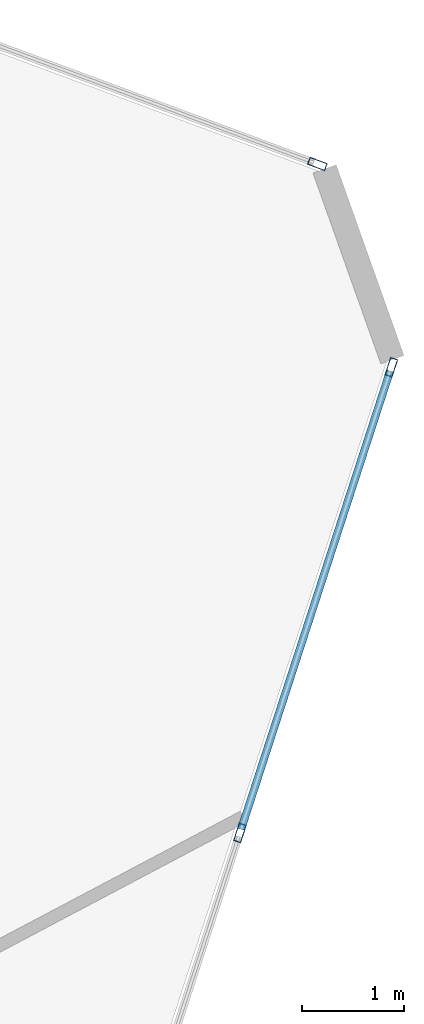
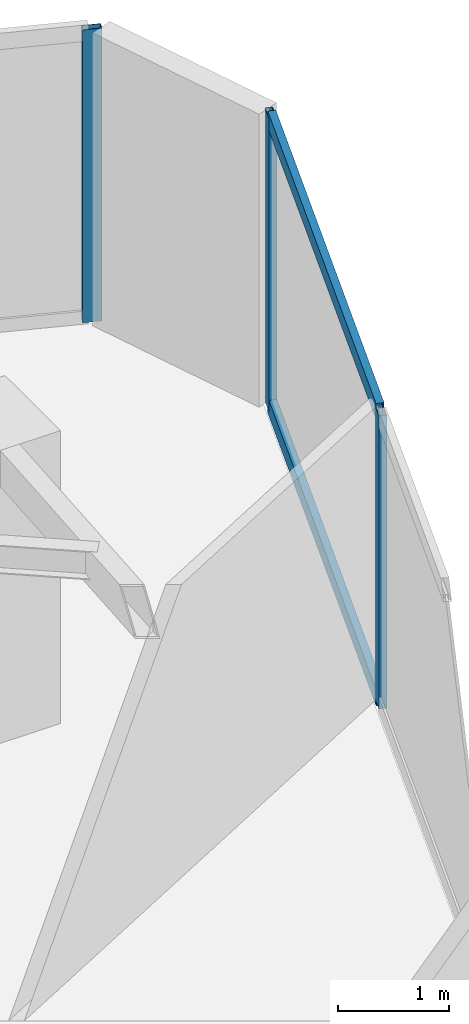
# One storey, part 12 of 19: 5 members, 2 elements without a shape of their own.
"""IFC4 building model written with IfcOpenShell, lengths in metres."""

from ifc_helpers import new_model, si_unit, direction, frame, origin, origin_2d, place, context, subcontext, project, spatial, hollow_rectangle, extrude, source, transform, mapped, material, layer, layer_set, material_profile, profile_set, type_object, type_shapes, element, aggregate, save


model = new_model("IFC4")

# Units and contexts
model_context = context("Model", 3, precision=1e-05, world=origin(), true_north=direction((0.0, 1.0)))
body_context = subcontext(model_context, "Body", "Model", "MODEL_VIEW")
ifc_project = project(units=[si_unit("LENGTHUNIT", "METRE"), si_unit("AREAUNIT", "SQUARE_METRE"), si_unit("VOLUMEUNIT", "CUBIC_METRE"), si_unit("PLANEANGLEUNIT", "RADIAN"), si_unit("MASSUNIT", "GRAM", prefix="KILO")], contexts=[model_context])

# Site, building, storey
site_placement = place(None, origin())
site = spatial("IfcSite", under=ifc_project, at=site_placement, CompositionType="ELEMENT")
building_placement = place(site_placement, origin())
building = spatial("IfcBuilding", under=site, at=building_placement, Name="Talar Marvaseh", CompositionType="ELEMENT")
storey_placement = place(building_placement, frame((0.0, 0.0, 174.0)))
storey = spatial("IfcBuildingStorey", under=building, at=storey_placement, Name="L45", CompositionType="ELEMENT", Elevation=174.0)

# Curtain wall, member
ifc_material = material(Name="Architectural Aluminium", Category="aluminium")
ifc_layer = layer(ifc_material, 0.18994140625)
ifc_layer_set = layer_set([ifc_layer], Name="Architectural Aluminium")
curtain_wall_type = type_object("IfcCurtainWallType", Name="Unitised Solar Atelier Curtain Wall Z3", PredefinedType="NOTDEFINED", material=ifc_layer_set)
curtain_wall_1_placement = place(storey_placement, origin())
curtain_wall_1 = element("IfcCurtainWall", 1, at=curtain_wall_1_placement, inside=storey, type_object=curtain_wall_type, Name="L45 Unitised Solar Atelier Curtain Wall Z3", PredefinedType="NOTDEFINED")
ifc_material_profile_1 = material_profile(ifc_material, hollow_rectangle(XDim=0.074951171875, YDim=0.179931640625, WallThickness=0.0048828125, at=origin_2d()), Name="RHS180x75x5")
ifc_profile_set_1 = profile_set([ifc_material_profile_1], Name="Architectural Aluminium")
member_type_1 = type_object("IfcMemberType", Name="Unitised Curtain Wall Standard Mullion RHS180x75x5", PredefinedType="MULLION", material=ifc_profile_set_1)
shared_shape_1 = source(origin(), body_context, "Body", "SweptSolid", [
    extrude(hollow_rectangle(XDim=0.074951171875, YDim=0.179931640625, WallThickness=0.0048828125, at=origin_2d()), origin(), (0.0, 0.0, 1.0), 3.22998046875),
])
type_shapes(member_type_1, [shared_shape_1])
member_1_placement = place(storey_placement, frame((43.03857421875, 39.752197265625, 0.0), z_axis=(0.0, 0.0, 1.0), x_axis=(0.347694610134, 0.937607838109, 0.0)))
member_1 = element("IfcMember", 2, at=member_1_placement, type_object=member_type_1, Name="CW-Z3 mullion 4", PredefinedType="MULLION", context=body_context, shape_type="MappedRepresentation", body=[
    mapped(shared_shape_1, transform((0.0, 0.0, 0.0), x_axis=(1.0, 0.0, 0.0), y_axis=(0.0, 1.0, 0.0), z_axis=(0.0, 0.0, 1.0), scale=1.0)),
])
aggregate(curtain_wall_1, [member_1])

# Curtain wall, members
curtain_wall_2_placement = place(storey_placement, origin())
curtain_wall_2 = element("IfcCurtainWall", 3, at=curtain_wall_2_placement, inside=storey, type_object=curtain_wall_type, Name="L45 Unitised Solar Atelier Curtain Wall Z3", PredefinedType="NOTDEFINED")
member_2_placement = place(storey_placement, frame((43.760986328125, 37.76513671875, 0.0), z_axis=(0.0, 0.0, 1.0), x_axis=(0.95100876715, -0.30916391252, 0.0)))
member_2 = element("IfcMember", 4, at=member_2_placement, type_object=member_type_1, Name="CW-Z3 mullion 1", PredefinedType="MULLION", context=body_context, shape_type="MappedRepresentation", body=[
    mapped(shared_shape_1, transform((0.0, 0.0, 0.0), x_axis=(1.0, 0.0, 0.0), y_axis=(0.0, 1.0, 0.0), z_axis=(0.0, 0.0, 1.0), scale=1.0)),
])
member_3_placement = place(storey_placement, frame((42.28173828125, 33.215087890625, 0.0), z_axis=(0.0, 0.0, 1.0), x_axis=(0.95100876715, -0.30916391252, 0.0)))
member_3 = element("IfcMember", 5, at=member_3_placement, type_object=member_type_1, Name="CW-Z3 mullion 2", PredefinedType="MULLION", context=body_context, shape_type="MappedRepresentation", body=[
    mapped(shared_shape_1, transform((0.0, 0.0, 0.0), x_axis=(1.0, 0.0, 0.0), y_axis=(0.0, 1.0, 0.0), z_axis=(0.0, 0.0, 1.0), scale=1.0)),
])
ifc_material_profile_2 = material_profile(ifc_material, hollow_rectangle(XDim=0.074951171875, YDim=0.179931640625, WallThickness=0.0048828125, at=origin_2d()), Name="RHS180x75x5")
ifc_profile_set_2 = profile_set([ifc_material_profile_2], Name="Architectural Aluminium")
member_type_2 = type_object("IfcMemberType", Name="Unitised Curtain Wall Transom RHS180x75x5", PredefinedType="USERDEFINED", material=ifc_profile_set_2)
shared_shape_2 = source(origin(), body_context, "Body", "SweptSolid", [
    extrude(hollow_rectangle(XDim=0.074951171875, YDim=0.179931640625, WallThickness=0.0048828125, at=origin_2d()), origin(), (0.0, 0.0, 1.0), 4.70947265625),
])
type_shapes(member_type_2, [shared_shape_2])
member_4_placement = place(storey_placement, frame((43.74951171875, 37.7294921875, 0.03759765625), z_axis=(-0.309173985157, -0.951005492572, 0.0), x_axis=(0.951005492572, -0.309173985157, 0.0)))
member_4 = element("IfcMember", 6, at=member_4_placement, type_object=member_type_2, Name="CW-Z3 transom 1.1", ObjectType="TRANSOM", PredefinedType="USERDEFINED", context=body_context, shape_type="MappedRepresentation", body=[
    mapped(shared_shape_2, transform((0.0, 0.0, 0.0), x_axis=(1.0, 0.0, 0.0), y_axis=(0.0, 1.0, 0.0), z_axis=(0.0, 0.0, 1.0), scale=1.0)),
])
member_5_placement = place(storey_placement, frame((43.74951171875, 37.7294921875, 3.1923828125), z_axis=(-0.309173985157, -0.951005492572, 0.0), x_axis=(0.951005492572, -0.309173985157, 0.0)))
member_5 = element("IfcMember", 7, at=member_5_placement, type_object=member_type_2, Name="CW-Z3 transom 1.2", ObjectType="TRANSOM", PredefinedType="USERDEFINED", context=body_context, shape_type="MappedRepresentation", body=[
    mapped(shared_shape_2, transform((0.0, 0.0, 0.0), x_axis=(1.0, 0.0, 0.0), y_axis=(0.0, 1.0, 0.0), z_axis=(0.0, 0.0, 1.0), scale=1.0)),
])
aggregate(curtain_wall_2, [member_2, member_3, member_4, member_5])

save(model, "model.ifc")
